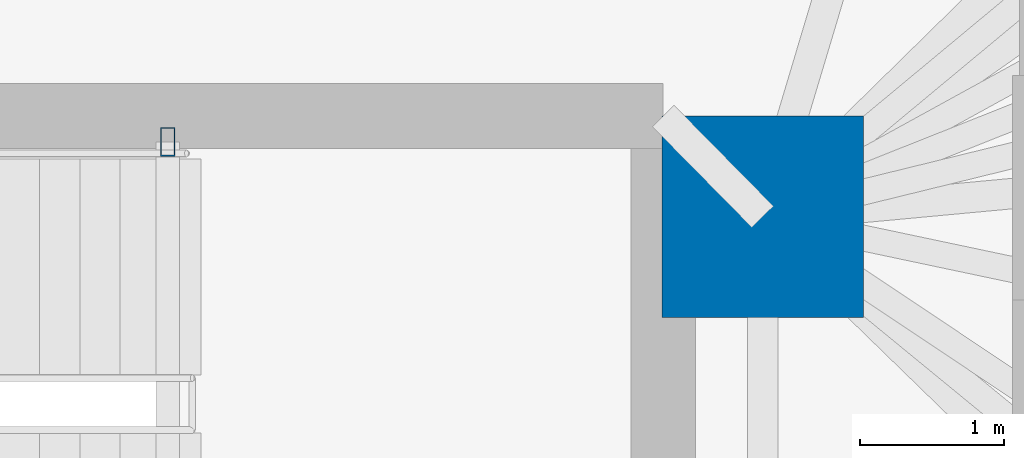
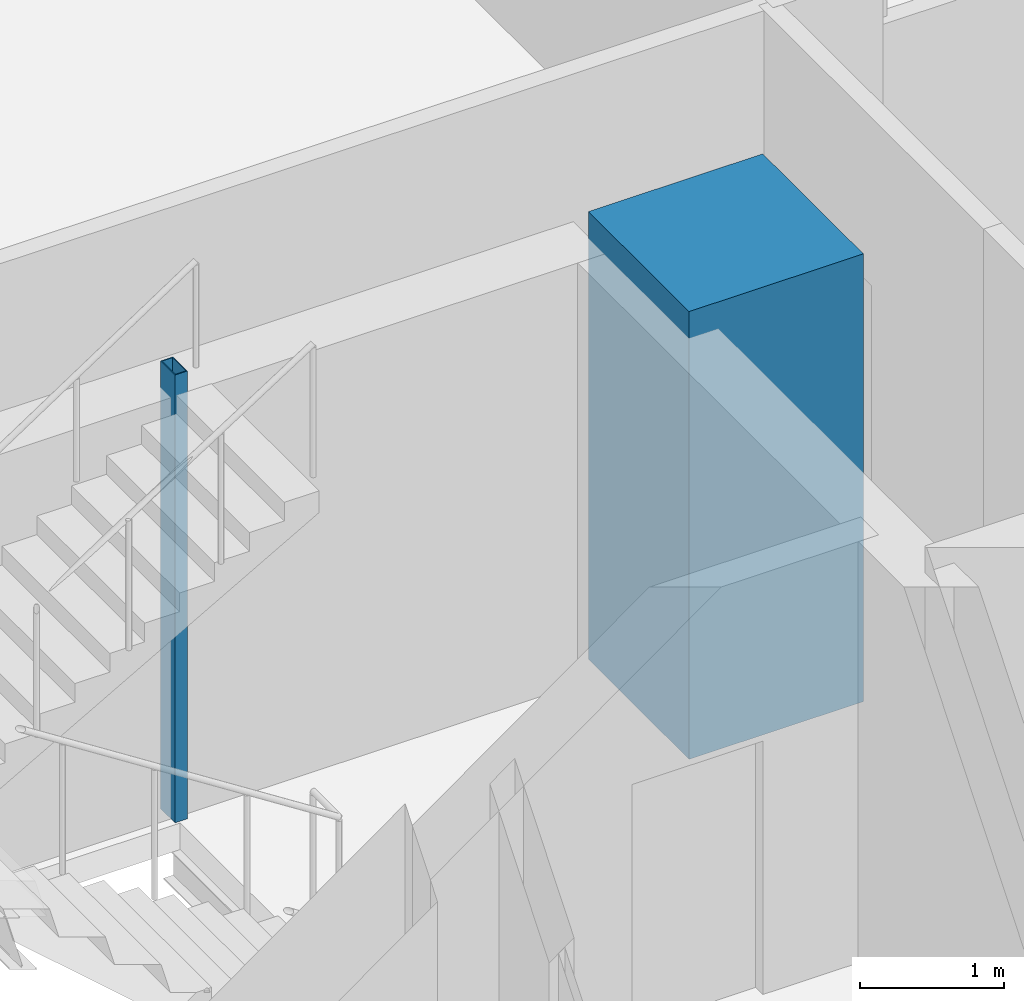
# One storey, part 4 of 17: 2 columns.
"""IFC4 building model written with IfcOpenShell, lengths in metres."""

from ifc_helpers import new_model, si_unit, direction, frame, origin, origin_2d, place, context, subcontext, project, spatial, rectangle, hollow_rectangle, extrude, material, material_profile, profile_set, type_object, element, save


model = new_model("IFC4")

# Units and contexts
model_context = context("Model", 3, precision=1e-05, world=origin(), true_north=direction((0.0, 1.0)))
body_context = subcontext(model_context, "Body", "Model", "MODEL_VIEW")
ifc_project = project(units=[si_unit("LENGTHUNIT", "METRE"), si_unit("AREAUNIT", "SQUARE_METRE"), si_unit("VOLUMEUNIT", "CUBIC_METRE"), si_unit("PLANEANGLEUNIT", "RADIAN"), si_unit("MASSUNIT", "GRAM", prefix="KILO")], contexts=[model_context])

# Site, building, storey
site_placement = place(None, origin())
site = spatial("IfcSite", under=ifc_project, at=site_placement, CompositionType="ELEMENT")
building_placement = place(site_placement, origin())
building = spatial("IfcBuilding", under=site, at=building_placement, Name="Menara Jurai Vektor", CompositionType="ELEMENT")
storey_placement = place(building_placement, frame((0.0, 0.0, 52.199951171875)))
storey = spatial("IfcBuildingStorey", under=building, at=storey_placement, Name="L12", CompositionType="ELEMENT", Elevation=52.199951171875)

# Columns
ifc_material_1 = material(Name="Concrete C60/75", Category="concrete")
ifc_material_profile_1 = material_profile(ifc_material_1, rectangle(XDim=1.39990234375, YDim=1.39990234375, at=origin_2d()), Name="RC 1400x1400")
ifc_profile_set_1 = profile_set([ifc_material_profile_1], Name="Concrete C60/75")
column_type_1 = type_object("IfcColumnType", Name="STR-COL-RC1400", PredefinedType="COLUMN", material=ifc_profile_set_1)
column_1_placement = place(storey_placement, frame((15.25, 4.89990234375, 0.0), z_axis=(0.0, 0.0, 1.0), x_axis=(1.0, 0.0, 0.0)))
element("IfcColumn", 1, at=column_1_placement, inside=storey, type_object=column_type_1, Name="Core Spine Column CE-NE L12", PredefinedType="COLUMN", context=body_context, shape_type="SweptSolid", body=[
    extrude(rectangle(XDim=1.39990234375, YDim=1.39990234375, at=origin_2d()), origin(), (0.0, 0.0, 1.0), 3.800048828125),
])
ifc_material_2 = material(Name="Steel S355", Category="steel")
ifc_material_profile_2 = material_profile(ifc_material_2, hollow_rectangle(XDim=0.10009765625, YDim=0.199951171875, WallThickness=0.008056640625, at=origin_2d()), Name="RHS 200x100x8")
ifc_profile_set_2 = profile_set([ifc_material_profile_2], Name="Steel S355")
column_type_2 = type_object("IfcColumnType", Name="STR-COL-STAIR", PredefinedType="COLUMN", material=ifc_profile_set_2)
column_2_placement = place(storey_placement, frame((11.1201171875, 5.419921875, 0.0), z_axis=(0.0, 0.0, 1.0), x_axis=(1.0, 0.0, 0.0)))
element("IfcColumn", 2, at=column_2_placement, inside=storey, type_object=column_type_2, Name="Stair Well Header Column ST2-P2 L12", PredefinedType="COLUMN", context=body_context, shape_type="SweptSolid", body=[
    extrude(hollow_rectangle(XDim=0.10009765625, YDim=0.199951171875, WallThickness=0.008056640625, at=origin_2d()), origin(), (0.0, 0.0, 1.0), 3.800048828125),
])

save(model, "model.ifc")
